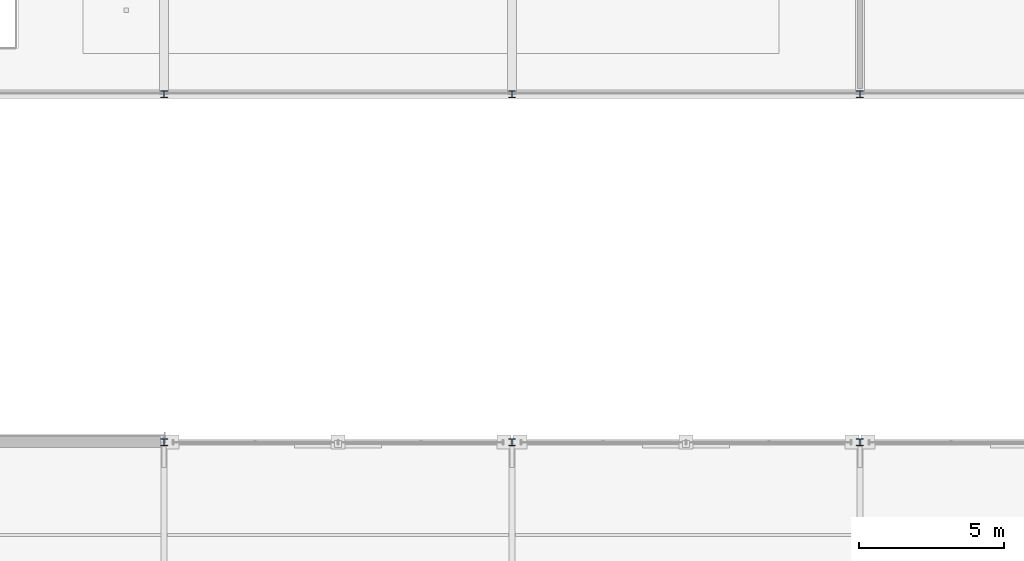
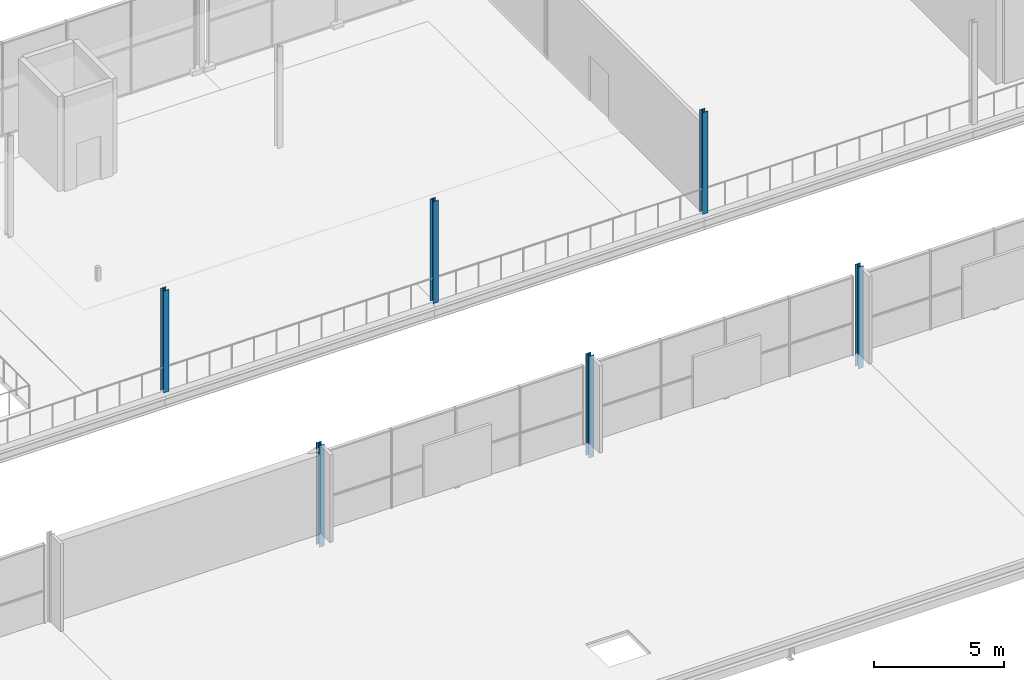
# One storey, part 7 of 159: 6 columns.
"""IFC4 building model written with IfcOpenShell, lengths in metres."""

from ifc_helpers import new_model, si_unit, direction, frame, origin, origin_2d, place, context, subcontext, project, spatial, i_section, extrude, material, material_profile, profile_set, type_object, element, save


model = new_model("IFC4")

# Units and contexts
model_context = context("Model", 3, precision=1e-05, world=origin(), true_north=direction((0.0, 1.0)))
body_context = subcontext(model_context, "Body", "Model", "MODEL_VIEW")
ifc_project = project(units=[si_unit("LENGTHUNIT", "METRE"), si_unit("AREAUNIT", "SQUARE_METRE"), si_unit("VOLUMEUNIT", "CUBIC_METRE"), si_unit("PLANEANGLEUNIT", "RADIAN"), si_unit("MASSUNIT", "GRAM", prefix="KILO")], contexts=[model_context])

# Site, building, storey
site_placement = place(None, origin())
site = spatial("IfcSite", under=ifc_project, at=site_placement, CompositionType="ELEMENT")
building_placement = place(site_placement, origin())
building = spatial("IfcBuilding", under=site, at=building_placement, Name="Merenkruunu Market Hall", CompositionType="ELEMENT")
storey_placement = place(building_placement, frame((0.0, 0.0, 5.39990234375)))
storey = spatial("IfcBuildingStorey", under=building, at=storey_placement, Name="L01", CompositionType="ELEMENT", Elevation=5.39990234375)

# Columns
ifc_material = material(Name="Steel S355J2", Category="steel")
ifc_material_profile = material_profile(ifc_material, i_section(OverallWidth=0.239990234375, OverallDepth=0.22998046875, WebThickness=0.007568359375, FlangeThickness=0.011962890625, FilletRadius=0.02099609375, at=origin_2d()), Name="HEA 240")
ifc_profile_set = profile_set([ifc_material_profile], Name="Steel S355J2")
column_type = type_object("IfcColumnType", Name="Structural Column C10", PredefinedType="COLUMN", material=ifc_profile_set)
for number, where, z_axis, x_axis, name in (
    (1, (100.800048828125, 15.60009765625, 0.0), (0.0, 0.0, 1.0), (1.0, 0.0, 0.0), "COL-L01-L-03"),
    (2, (100.800048828125, 27.60009765625, 0.0), (0.0, 0.0, 1.0), (1.0, 0.0, 0.0), "COL-L01-L-04"),
    (3, (112.800048828125, 15.60009765625, 0.0), (0.0, 0.0, 1.0), (1.0, 0.0, 0.0), "COL-L01-M-03"),
    (4, (112.800048828125, 27.60009765625, 0.0), (0.0, 0.0, 1.0), (1.0, 0.0, 0.0), "COL-L01-M-04"),
    (5, (124.800048828125, 15.60009765625, 0.0), (0.0, 0.0, 1.0), (1.0, 0.0, 0.0), "COL-L01-N-03"),
    (6, (124.800048828125, 27.60009765625, 0.0), (0.0, 0.0, 1.0), (1.0, 0.0, 0.0), "COL-L01-N-04"),
):
    element("IfcColumn", number, at=place(storey_placement, frame(where, z_axis=z_axis, x_axis=x_axis)), inside=storey, type_object=column_type, Name=name, PredefinedType="COLUMN", context=body_context, shape_type="SweptSolid", body=[
        extrude(i_section(OverallWidth=0.239990234375, OverallDepth=0.22998046875, WebThickness=0.007568359375, FlangeThickness=0.011962890625, FilletRadius=0.02099609375, at=origin_2d()), origin(), (0.0, 0.0, 1.0), 4.800048828125),
    ])

save(model, "model.ifc")
